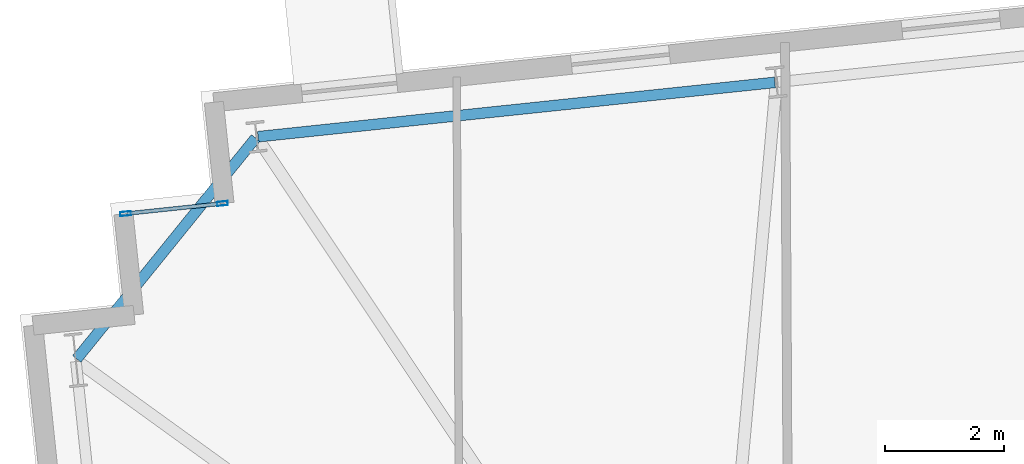
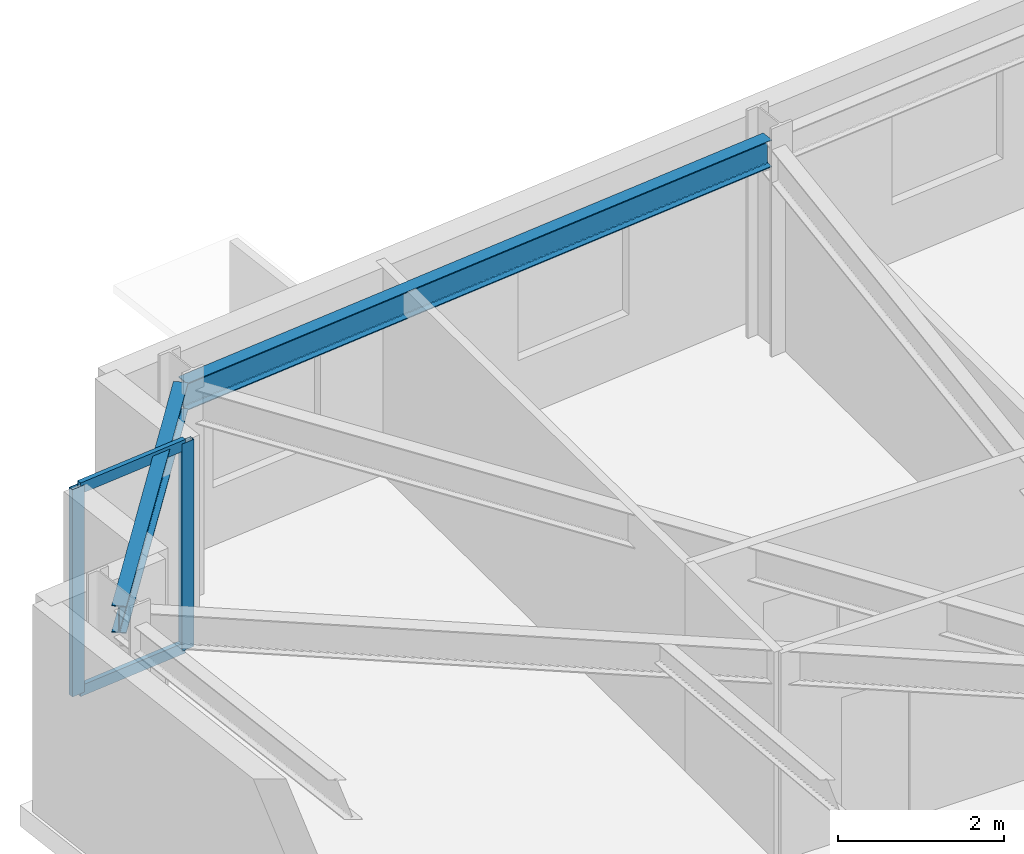
# One storey, part 8 of 17: 4 members, 2 beams, 1 element without a shape of its own.
"""IFC4 building model written with IfcOpenShell, lengths in metres."""

from ifc_helpers import new_model, si_unit, direction, frame, origin, origin_2d, place, context, subcontext, project, spatial, hollow_rectangle, i_section, extrude, material, layer, layer_set, material_profile, profile_set, type_object, element, aggregate, save


model = new_model("IFC4")

# Units and contexts
model_context = context("Model", 3, precision=1e-05, world=origin(), true_north=direction((0.0, 1.0)))
body_context = subcontext(model_context, "Body", "Model", "MODEL_VIEW")
ifc_project = project(units=[si_unit("LENGTHUNIT", "METRE"), si_unit("AREAUNIT", "SQUARE_METRE"), si_unit("VOLUMEUNIT", "CUBIC_METRE"), si_unit("PLANEANGLEUNIT", "RADIAN"), si_unit("MASSUNIT", "GRAM", prefix="KILO")], contexts=[model_context])

# Site, building, storey
site_placement = place(None, origin())
site = spatial("IfcSite", under=ifc_project, at=site_placement, CompositionType="ELEMENT")
building_placement = place(site_placement, origin())
building = spatial("IfcBuilding", under=site, at=building_placement, Name="Qobustan Lattice House", CompositionType="ELEMENT")
storey_placement = place(building_placement, frame((0.0, 0.0, 112.5)))
storey = spatial("IfcBuildingStorey", under=building, at=storey_placement, Name="L31", CompositionType="ELEMENT", Elevation=112.5)

# Beams
ifc_material_1 = material(Name="Steel S355", Category="steel")
ifc_material_profile_1 = material_profile(ifc_material_1, i_section(OverallWidth=0.179931640625, OverallDepth=0.39990234375, WebThickness=0.008544921875, FlangeThickness=0.013427734375, FilletRadius=0.02099609375, at=origin_2d()), Name="IPE400")
ifc_profile_set_1 = profile_set([ifc_material_profile_1], Name="Steel S355")
beam_type = type_object("IfcBeamType", Name="BM-SPD-IPE400", PredefinedType="SPANDREL", material=ifc_profile_set_1)
beam_1_placement = place(storey_placement, frame((-17.7158203125, 17.919189453125, 2.844970703125), z_axis=(-0.994521279781, -0.10453432002, 0.0), x_axis=(0.10453432002, -0.994521279781, 0.0)))
element("IfcBeam", 1, at=beam_1_placement, inside=storey, type_object=beam_type, Name="L31 perimeter spandrel N6-N7", PredefinedType="SPANDREL", context=body_context, shape_type="SweptSolid", body=[
    extrude(i_section(OverallWidth=0.179931640625, OverallDepth=0.39990234375, WebThickness=0.008544921875, FlangeThickness=0.013427734375, FilletRadius=0.02099609375, at=origin_2d()), origin(), (0.0, 0.0, 1.0), 8.69970703125),
])
beam_2_placement = place(storey_placement, frame((-26.40869140625, 16.98779296875, 2.844970703125), z_axis=(-0.629326627121, -0.777140911545, 0.0), x_axis=(0.777140911545, -0.629326627121, 0.0)))
element("IfcBeam", 2, at=beam_2_placement, inside=storey, type_object=beam_type, Name="L31 perimeter spandrel N7-W1", PredefinedType="SPANDREL", context=body_context, shape_type="SweptSolid", body=[
    extrude(i_section(OverallWidth=0.179931640625, OverallDepth=0.39990234375, WebThickness=0.008544921875, FlangeThickness=0.013427734375, FilletRadius=0.02099609375, at=origin_2d()), origin(), (0.0, 0.0, 1.0), 4.758544921875),
])

# Curtain wall, members
ifc_material_2 = material(Name="Anodised aluminium and low-E glazing", Category="aluminium")
ifc_layer = layer(ifc_material_2, 0.219970703125)
ifc_layer_set = layer_set([ifc_layer], Name="Anodised aluminium and low-E glazing")
curtain_wall_type = type_object("IfcCurtainWallType", Name="CW-FAC-01", PredefinedType="USERDEFINED", material=ifc_layer_set)
curtain_wall_placement = place(storey_placement, origin())
curtain_wall = element("IfcCurtainWall", 3, at=curtain_wall_placement, inside=storey, type_object=curtain_wall_type, Name="L31 serrated corner faceted glazing 8", ObjectType="CURTAIN WALL", PredefinedType="USERDEFINED")
ifc_material_3 = material(Name="Anodised aluminium EN AW-6063 T6", Category="aluminium")
ifc_material_profile_2 = material_profile(ifc_material_3, hollow_rectangle(XDim=0.070068359375, YDim=0.179931640625, WallThickness=0.00439453125, at=origin_2d()), Name="CWM-180x70")
ifc_profile_set_2 = profile_set([ifc_material_profile_2], Name="Anodised aluminium EN AW-6063 T6")
member_type_1 = type_object("IfcMemberType", Name="CWM-STD-180", PredefinedType="MULLION", material=ifc_profile_set_2)
member_1_placement = place(storey_placement, frame((-28.58544921875, 15.720947265625, 0.0), z_axis=(0.0, 0.0, 1.0), x_axis=(-0.104528620025, 0.994521878892, 0.0)))
member_1 = element("IfcMember", 4, at=member_1_placement, type_object=member_type_1, Name="CW-F1 mullion 1", PredefinedType="MULLION", context=body_context, shape_type="SweptSolid", body=[
    extrude(hollow_rectangle(XDim=0.070068359375, YDim=0.179931640625, WallThickness=0.00439453125, at=origin_2d()), origin(), (0.0, 0.0, 1.0), 3.044921875),
])
member_2_placement = place(storey_placement, frame((-26.96435546875, 15.891357421875, 0.0), z_axis=(0.0, 0.0, 1.0), x_axis=(-0.104528620025, 0.994521878892, 0.0)))
member_2 = element("IfcMember", 5, at=member_2_placement, type_object=member_type_1, Name="CW-F1 mullion 2", PredefinedType="MULLION", context=body_context, shape_type="SweptSolid", body=[
    extrude(hollow_rectangle(XDim=0.070068359375, YDim=0.179931640625, WallThickness=0.00439453125, at=origin_2d()), origin(), (0.0, 0.0, 1.0), 3.044921875),
])
ifc_material_4 = material(Name="Anodised aluminium EN AW-6063 T6", Category="aluminium")
ifc_material_profile_3 = material_profile(ifc_material_4, hollow_rectangle(XDim=0.06494140625, YDim=0.159912109375, WallThickness=0.00390625, at=origin_2d()), Name="CWT-160x65")
ifc_profile_set_3 = profile_set([ifc_material_profile_3], Name="Anodised aluminium EN AW-6063 T6")
member_type_2 = type_object("IfcMemberType", Name="CWT-HOR-160", PredefinedType="USERDEFINED", material=ifc_profile_set_3)
member_3_placement = place(storey_placement, frame((-28.55078125, 15.724609375, 0.032470703125), z_axis=(0.994520877159, 0.104538150424, 0.0), x_axis=(-0.104538150424, 0.994520877159, 0.0)))
member_3 = element("IfcMember", 6, at=member_3_placement, type_object=member_type_2, Name="CW-F1 transom 1.1", ObjectType="TRANSOM", PredefinedType="USERDEFINED", context=body_context, shape_type="SweptSolid", body=[
    extrude(hollow_rectangle(XDim=0.06494140625, YDim=0.159912109375, WallThickness=0.00390625, at=origin_2d()), origin(), (0.0, 0.0, 1.0), 1.56005859375),
])
member_4_placement = place(storey_placement, frame((-28.55078125, 15.724609375, 3.012451171875), z_axis=(0.994520877159, 0.104538150424, 0.0), x_axis=(-0.104538150424, 0.994520877159, 0.0)))
member_4 = element("IfcMember", 7, at=member_4_placement, type_object=member_type_2, Name="CW-F1 transom 1.2", ObjectType="TRANSOM", PredefinedType="USERDEFINED", context=body_context, shape_type="SweptSolid", body=[
    extrude(hollow_rectangle(XDim=0.06494140625, YDim=0.159912109375, WallThickness=0.00390625, at=origin_2d()), origin(), (0.0, 0.0, 1.0), 1.56005859375),
])
aggregate(curtain_wall, [member_1, member_2, member_3, member_4])

save(model, "model.ifc")
